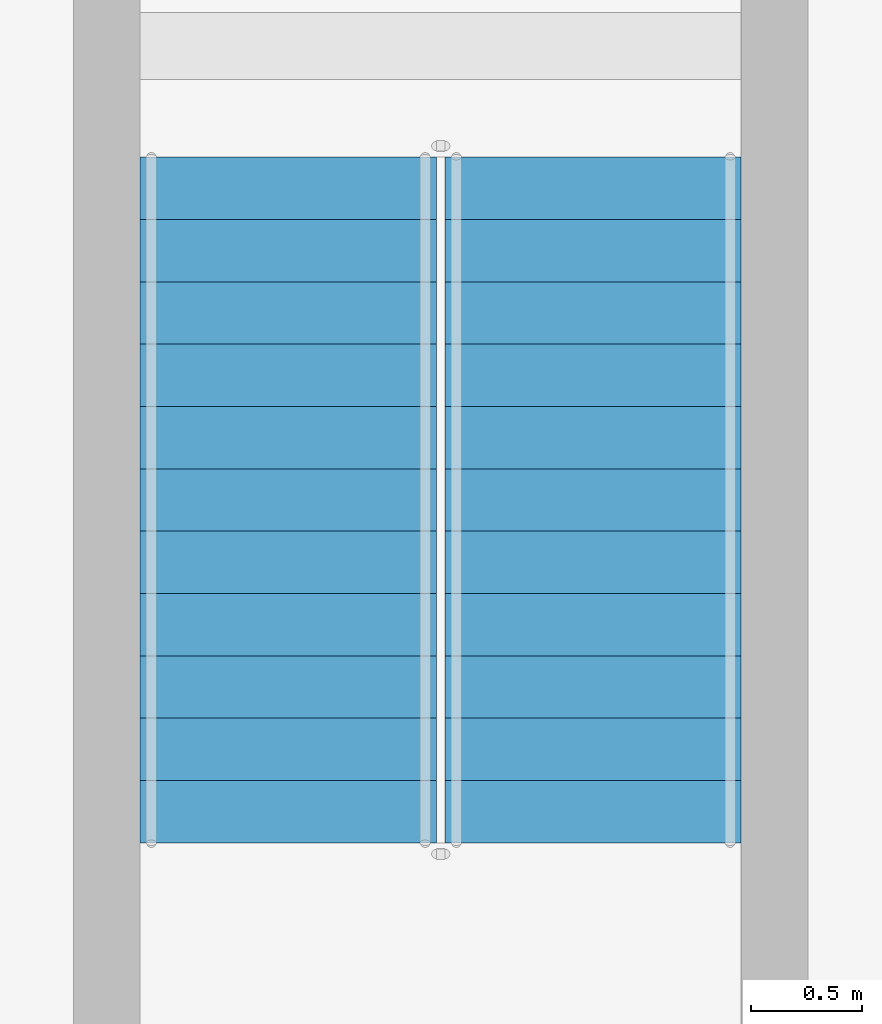
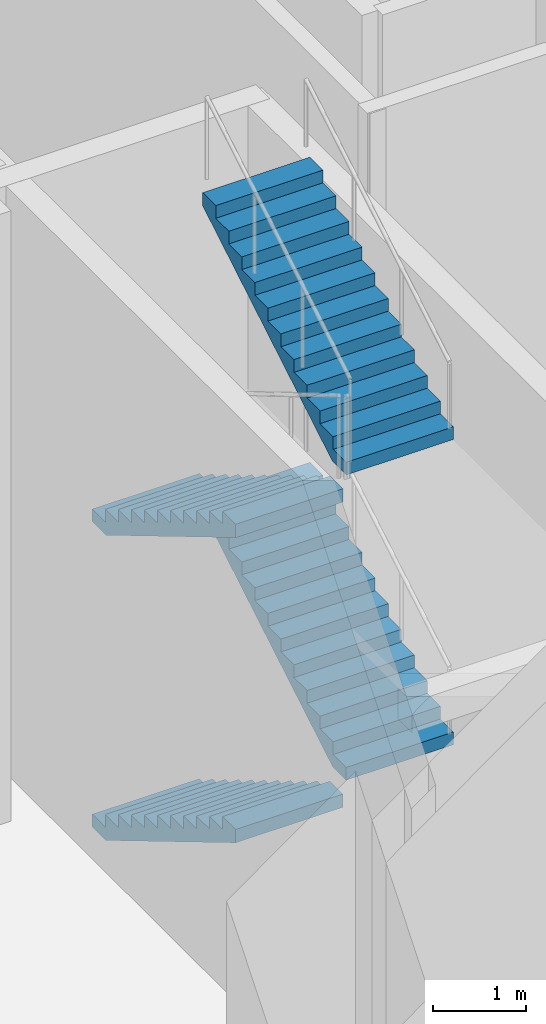
# One storey, part 40 of 54: 4 stair flights, 1 element without a shape of its own.
"""IFC4 building model written with IfcOpenShell, lengths in metres."""

import ifcopenshell
import ifcopenshell.guid

model = None  # the IFC model being written
_history = None  # IfcOwnerHistory: only IFC2X3 demands one
_inside = {}  # id of a spatial element -> (the spatial element, [elements in it])
_under = {}  # id of a project, library or spatial element -> (it, [spatial elements below it])
_declared = {}  # id of a project -> (the project, [libraries it declares])
_typed = {}  # id of a type object -> (the type object, [elements of that type])
_made_of = {}  # id of a material, layer set ... -> (it, [elements and type objects made of it])


def new_model(schema):
    """Start an empty IFC model of exactly this schema.

    Asked for "IFC4X3", IfcOpenShell would pick the latest addendum, in which some entities
    have other attributes; the version numbers below select the first issue.
    IFC2X3 requires an IfcOwnerHistory on every rooted entity: one is made here for all.
    """
    global model, _history
    if schema == "IFC4X3":
        model = ifcopenshell.file(schema_version=(4, 3, 0, 0))
    else:
        model = ifcopenshell.file(schema=schema)
    _inside.clear()
    _under.clear()
    _declared.clear()
    _typed.clear()
    _made_of.clear()
    _history = None
    if model.schema == "IFC2X3":
        org = make("IfcOrganization", Name="unknown")
        user = make(
            "IfcPersonAndOrganization",
            ThePerson=make("IfcPerson", FamilyName="unknown"),
            TheOrganization=org,
        )
        app = make(
            "IfcApplication",
            ApplicationDeveloper=org,
            Version="unknown",
            ApplicationFullName="unknown",
            ApplicationIdentifier="unknown",
        )
        _history = make(
            "IfcOwnerHistory",
            OwningUser=user,
            OwningApplication=app,
            ChangeAction="ADDED",
            CreationDate=0,
        )
    return model


def make(cls, **values):
    """One entity of the class cls with the attributes given. An attribute that is None is left unset."""
    return model.create_entity(
        cls, **{name: value for name, value in values.items() if value is not None}
    )


def rooted(cls, **values):
    """An entity with a GlobalId (a new one), such as an element, a storey or a relation."""
    return make(cls, GlobalId=ifcopenshell.guid.new(), OwnerHistory=_history, **values)


def si_unit(unit_type, name, prefix=None):
    """IfcSIUnit, for example si_unit("LENGTHUNIT", "METRE", prefix="MILLI")."""
    return make("IfcSIUnit", UnitType=unit_type, Prefix=prefix, Name=name)


def assignment(units):
    """IfcUnitAssignment: the units of a project."""
    return None if units is None else make("IfcUnitAssignment", Units=units)


def point(xyz):
    """IfcCartesianPoint."""
    return None if xyz is None else make("IfcCartesianPoint", Coordinates=xyz)


def direction(xyz):
    """IfcDirection."""
    return None if xyz is None else make("IfcDirection", DirectionRatios=xyz)


def frame(location, z_axis=None, x_axis=None):
    """IfcAxis2Placement3D, a coordinate frame: its origin and axes. An axis left out is left unset."""
    return make(
        "IfcAxis2Placement3D",
        Location=point(location),
        Axis=direction(z_axis),
        RefDirection=direction(x_axis),
    )


def origin():
    """The frame at (0, 0, 0) with its axes left unset."""
    return frame((0.0, 0.0, 0.0))


def place(relative_to, where):
    """IfcLocalPlacement: puts the frame where relative to a parent placement (None: the world)."""
    return make(
        "IfcLocalPlacement", PlacementRelTo=relative_to, RelativePlacement=where
    )


def context(
    kind, dimensions, precision=None, world=None, true_north=None, identifier=None
):
    """IfcGeometricRepresentationContext, for example the 3D "Model" context."""
    return make(
        "IfcGeometricRepresentationContext",
        ContextIdentifier=identifier,
        ContextType=kind,
        CoordinateSpaceDimension=dimensions,
        Precision=precision,
        WorldCoordinateSystem=world,
        TrueNorth=true_north,
    )


def subcontext(parent, identifier, kind, view, scale=None):
    """IfcGeometricRepresentationSubContext, for example "Body" below "Model"."""
    return make(
        "IfcGeometricRepresentationSubContext",
        ContextIdentifier=identifier,
        ContextType=kind,
        ParentContext=parent,
        TargetScale=scale,
        TargetView=view,
    )


def project(units=None, contexts=None):
    """IfcProject with its units and contexts."""
    return rooted(
        "IfcProject",
        Name="project",
        RepresentationContexts=contexts,
        UnitsInContext=assignment(units),
    )


def spatial(cls, under=None, at=None, **own):
    """A site, building, storey or space (cls), placed at a placement, below another one or the project."""
    s = rooted(cls, ObjectPlacement=at, **own)
    if under is not None:
        _under.setdefault(under.id(), (under, []))[1].append(s)
    return s


def point_list(points):
    """IfcCartesianPointList2D or 3D."""
    cls = (
        "IfcCartesianPointList2D" if len(points[0]) == 2 else "IfcCartesianPointList3D"
    )
    return make(cls, CoordList=points)


def triangles(points, corners, closed=None, point_numbers=None):
    """IfcTriangulatedFaceSet: each triangle names its three corners, points numbered from 1."""
    return make(
        "IfcTriangulatedFaceSet",
        Coordinates=point_list(points),
        Closed=closed,
        CoordIndex=corners,
        PnIndex=point_numbers,
    )


def shape(context_of_items, identifier, shape_type, items):
    """IfcShapeRepresentation: the items that make up one representation, for example the "Body"."""
    return make(
        "IfcShapeRepresentation",
        ContextOfItems=context_of_items,
        RepresentationIdentifier=identifier,
        RepresentationType=shape_type,
        Items=items,
    )


def source(mapping_origin, context_of_items, identifier, shape_type, items):
    """IfcRepresentationMap: a shape defined once, which mapped items show again and again."""
    return make(
        "IfcRepresentationMap",
        MappingOrigin=mapping_origin,
        MappedRepresentation=shape(context_of_items, identifier, shape_type, items),
    )


def transform(
    local_origin,
    x_axis=None,
    y_axis=None,
    z_axis=None,
    scale=None,
    scale2=None,
    scale3=None,
    uniform=True,
):
    """IfcCartesianTransformationOperator3D, or its non-uniform kind. x_axis, y_axis, z_axis: its Axis1, 2, 3."""
    if uniform:
        return make(
            "IfcCartesianTransformationOperator3D",
            Axis1=direction(x_axis),
            Axis2=direction(y_axis),
            LocalOrigin=point(local_origin),
            Scale=scale,
            Axis3=direction(z_axis),
        )
    return make(
        "IfcCartesianTransformationOperator3DnonUniform",
        Axis1=direction(x_axis),
        Axis2=direction(y_axis),
        LocalOrigin=point(local_origin),
        Scale=scale,
        Axis3=direction(z_axis),
        Scale2=scale2,
        Scale3=scale3,
    )


def mapped(mapping_source, mapping_target):
    """IfcMappedItem: shows the shape of a source again, moved by a transform."""
    return make(
        "IfcMappedItem", MappingSource=mapping_source, MappingTarget=mapping_target
    )


def material(Name=None, Category=None):
    """IfcMaterial."""
    return make("IfcMaterial", Name=Name, Category=Category)


def made_of(thing, what):
    """Note that an element or type object is made of a material, layer set ...; save() writes the relation."""
    if what is not None:
        _made_of.setdefault(what.id(), (what, []))[1].append(thing)
    return thing


def type_object(cls, material=None, **own):
    """A type object (cls), such as IfcWallType, which elements share."""
    return made_of(rooted(cls, **own), material)


def element(
    cls,
    number,
    at=None,
    inside=None,
    cuts=None,
    type_object=None,
    material=None,
    context=None,
    identifier="Body",
    shape_type=None,
    held_by="IfcProductDefinitionShape",
    body=None,
    shapes=None,
    **own,
):
    """One element of the class cls, such as IfcWall. Its Tag is "e" and its number.

    at: its placement. inside: the storey or other place that contains it. cuts: it is an
    opening in that element (IfcRelVoidsElement). A single representation is given by context,
    identifier, shape_type and body (its items); several are given by shapes. held_by: the class
    of the entity that holds the representations. save() writes the other relations.
    """
    e = rooted(cls, Tag="e%d" % number, ObjectPlacement=at, **own)
    if body is not None:
        shapes = [shape(context, identifier, shape_type, body)]
    if shapes is not None:
        e.Representation = make(held_by, Representations=shapes)
    if inside is not None:
        _inside.setdefault(inside.id(), (inside, []))[1].append(e)
    if cuts is not None:
        rooted(
            "IfcRelVoidsElement", RelatingBuildingElement=cuts, RelatedOpeningElement=e
        )
    if type_object is not None:
        _typed.setdefault(type_object.id(), (type_object, []))[1].append(e)
    return made_of(e, material)


def aggregate(whole, parts):
    """IfcRelAggregates: a whole, such as a stair, and the parts it consists of."""
    return rooted("IfcRelAggregates", RelatingObject=whole, RelatedObjects=parts)


def save(model, path):
    """Write the relations noted so far, then the file.

    IfcRelAggregates (storeys below a building ...), IfcRelContainedInSpatialStructure (elements
    in a storey), IfcRelDefinesByType, IfcRelAssociatesMaterial and IfcRelDeclares: one each for
    every whole, place, type object, material and project.
    """
    for whole, parts in _under.values():
        aggregate(whole, parts)
    for where, things in _inside.values():
        rooted(
            "IfcRelContainedInSpatialStructure",
            RelatedElements=things,
            RelatingStructure=where,
        )
    for kind, things in _typed.values():
        rooted("IfcRelDefinesByType", RelatedObjects=things, RelatingType=kind)
    for what, things in _made_of.values():
        rooted("IfcRelAssociatesMaterial", RelatedObjects=things, RelatingMaterial=what)
    for by, libraries in _declared.values():
        rooted("IfcRelDeclares", RelatingContext=by, RelatedDefinitions=libraries)
    model.write(path)


model = new_model("IFC4")

# Units and contexts
model_context = context("Model", 3, precision=1e-05, world=origin(), true_north=direction((0.0, 1.0)))
body_context = subcontext(model_context, "Body", "Model", "MODEL_VIEW")
ifc_project = project(units=[si_unit("LENGTHUNIT", "METRE"), si_unit("AREAUNIT", "SQUARE_METRE"), si_unit("VOLUMEUNIT", "CUBIC_METRE"), si_unit("PLANEANGLEUNIT", "RADIAN"), si_unit("MASSUNIT", "GRAM", prefix="KILO")], contexts=[model_context])

# Site, building, storey
site_placement = place(None, origin())
site = spatial("IfcSite", under=ifc_project, at=site_placement, CompositionType="ELEMENT")
building_placement = place(site_placement, origin())
building = spatial("IfcBuilding", under=site, at=building_placement, Name="Ogive Portal Towers", CompositionType="ELEMENT")
storey_placement = place(building_placement, origin())
storey = spatial("IfcBuildingStorey", under=building, at=storey_placement, Name="L00", CompositionType="ELEMENT", Elevation=0.0)

# Stair, stair flights
ifc_material = material(Name="Concrete C40/50", Category="concrete")
stair_type = type_object("IfcStairType", Name="INT-STAIR", PredefinedType="HALF_TURN_STAIR", material=ifc_material)
stair_placement = place(storey_placement, origin())
stair = element("IfcStair", 1, at=stair_placement, inside=storey, type_object=stair_type, Name="L00 Exit Stair ST-A4", PredefinedType="HALF_TURN_STAIR")
stair_flight_type = type_object("IfcStairFlightType", Name="INT-FLIGHT", PredefinedType="STRAIGHT", material=ifc_material)
shared_shape = source(origin(), body_context, "Body", "Tessellation", [
    triangles([(0.0, -0.6650390625, 0.0), (0.0, -0.384765625, 0.0), (0.0, -0.197021484375, 0.0), (0.0, -0.0830078125, 0.0), (0.0, -0.024658203125, 0.0), (0.0, -0.003173828125, 0.0), (0.0, 0.0, 0.0), (0.0, 0.003173828125, 0.0), (0.0, 0.024658203125, 0.0), (0.0, 0.0830078125, 0.0), (0.0, 0.197021484375, 0.0), (0.0, 0.384765625, 0.0), (0.0, 0.6650390625, 0.0), (0.0, -0.6650390625, 0.166748046875), (0.0, -0.384765625, 0.166748046875), (0.0, -0.197021484375, 0.166748046875), (0.0, -0.0830078125, 0.166748046875), (0.0, -0.024658203125, 0.166748046875), (0.0, -0.003173828125, 0.166748046875), (0.0, 0.0, 0.166748046875), (0.0, 0.003173828125, 0.166748046875), (0.0, 0.024658203125, 0.166748046875), (0.0, 0.0830078125, 0.166748046875), (0.0, 0.197021484375, 0.166748046875), (0.0, 0.384765625, 0.166748046875), (0.0, 0.6650390625, 0.166748046875), (0.280029296875, -0.6650390625, 0.166748046875), (0.280029296875, -0.384765625, 0.166748046875), (0.280029296875, -0.197021484375, 0.166748046875), (0.280029296875, -0.0830078125, 0.166748046875), (0.280029296875, -0.024658203125, 0.166748046875), (0.280029296875, -0.003173828125, 0.166748046875), (0.280029296875, 0.0, 0.166748046875), (0.280029296875, 0.003173828125, 0.166748046875), (0.280029296875, 0.024658203125, 0.166748046875), (0.280029296875, 0.0830078125, 0.166748046875), (0.280029296875, 0.197021484375, 0.166748046875), (0.280029296875, 0.384765625, 0.166748046875), (0.280029296875, 0.6650390625, 0.166748046875), (0.280029296875, -0.6650390625, 0.333251953125), (0.280029296875, -0.384765625, 0.333251953125), (0.280029296875, -0.197021484375, 0.333251953125), (0.280029296875, -0.0830078125, 0.333251953125), (0.280029296875, -0.024658203125, 0.333251953125), (0.280029296875, -0.003173828125, 0.333251953125), (0.280029296875, 0.0, 0.333251953125), (0.280029296875, 0.003173828125, 0.333251953125), (0.280029296875, 0.024658203125, 0.333251953125), (0.280029296875, 0.0830078125, 0.333251953125), (0.280029296875, 0.197021484375, 0.333251953125), (0.280029296875, 0.384765625, 0.333251953125), (0.280029296875, 0.6650390625, 0.333251953125), (0.56005859375, -0.6650390625, 0.333251953125), (0.56005859375, -0.384765625, 0.333251953125), (0.56005859375, -0.197021484375, 0.333251953125), (0.56005859375, -0.0830078125, 0.333251953125), (0.56005859375, -0.024658203125, 0.333251953125), (0.56005859375, -0.003173828125, 0.333251953125), (0.56005859375, 0.0, 0.333251953125), (0.56005859375, 0.003173828125, 0.333251953125), (0.56005859375, 0.024658203125, 0.333251953125), (0.56005859375, 0.0830078125, 0.333251953125), (0.56005859375, 0.197021484375, 0.333251953125), (0.56005859375, 0.384765625, 0.333251953125), (0.56005859375, 0.6650390625, 0.333251953125), (0.56005859375, -0.6650390625, 0.5), (0.56005859375, -0.384765625, 0.5), (0.56005859375, -0.197021484375, 0.5), (0.56005859375, -0.0830078125, 0.5), (0.56005859375, -0.024658203125, 0.5), (0.56005859375, -0.003173828125, 0.5), (0.56005859375, 0.0, 0.5), (0.56005859375, 0.003173828125, 0.5), (0.56005859375, 0.024658203125, 0.5), (0.56005859375, 0.0830078125, 0.5), (0.56005859375, 0.197021484375, 0.5), (0.56005859375, 0.384765625, 0.5), (0.56005859375, 0.6650390625, 0.5), (0.840087890625, -0.6650390625, 0.5), (0.840087890625, -0.384765625, 0.5), (0.840087890625, -0.197021484375, 0.5), (0.840087890625, -0.0830078125, 0.5), (0.840087890625, -0.024658203125, 0.5), (0.840087890625, -0.003173828125, 0.5), (0.840087890625, 0.0, 0.5), (0.840087890625, 0.003173828125, 0.5), (0.840087890625, 0.024658203125, 0.5), (0.840087890625, 0.0830078125, 0.5), (0.840087890625, 0.197021484375, 0.5), (0.840087890625, 0.384765625, 0.5), (0.840087890625, 0.6650390625, 0.5), (0.840087890625, -0.6650390625, 0.666748046875), (0.840087890625, -0.384765625, 0.666748046875), (0.840087890625, -0.197021484375, 0.666748046875), (0.840087890625, -0.0830078125, 0.666748046875), (0.840087890625, -0.024658203125, 0.666748046875), (0.840087890625, -0.003173828125, 0.666748046875), (0.840087890625, 0.0, 0.666748046875), (0.840087890625, 0.003173828125, 0.666748046875), (0.840087890625, 0.024658203125, 0.666748046875), (0.840087890625, 0.0830078125, 0.666748046875), (0.840087890625, 0.197021484375, 0.666748046875), (0.840087890625, 0.384765625, 0.666748046875), (0.840087890625, 0.6650390625, 0.666748046875), (1.1201171875, -0.6650390625, 0.666748046875), (1.1201171875, -0.384765625, 0.666748046875), (1.1201171875, -0.197021484375, 0.666748046875), (1.1201171875, -0.0830078125, 0.666748046875), (1.1201171875, -0.024658203125, 0.666748046875), (1.1201171875, -0.003173828125, 0.666748046875), (1.1201171875, 0.0, 0.666748046875), (1.1201171875, 0.003173828125, 0.666748046875), (1.1201171875, 0.024658203125, 0.666748046875), (1.1201171875, 0.0830078125, 0.666748046875), (1.1201171875, 0.197021484375, 0.666748046875), (1.1201171875, 0.384765625, 0.666748046875), (1.1201171875, 0.6650390625, 0.666748046875), (1.1201171875, -0.6650390625, 0.833251953125), (1.1201171875, -0.384765625, 0.833251953125), (1.1201171875, -0.197021484375, 0.833251953125), (1.1201171875, -0.0830078125, 0.833251953125), (1.1201171875, -0.024658203125, 0.833251953125), (1.1201171875, -0.003173828125, 0.833251953125), (1.1201171875, 0.0, 0.833251953125), (1.1201171875, 0.003173828125, 0.833251953125), (1.1201171875, 0.024658203125, 0.833251953125), (1.1201171875, 0.0830078125, 0.833251953125), (1.1201171875, 0.197021484375, 0.833251953125), (1.1201171875, 0.384765625, 0.833251953125), (1.1201171875, 0.6650390625, 0.833251953125), (1.39990234375, -0.6650390625, 0.833251953125), (1.39990234375, -0.384765625, 0.833251953125), (1.39990234375, -0.197021484375, 0.833251953125), (1.39990234375, -0.0830078125, 0.833251953125), (1.39990234375, -0.024658203125, 0.833251953125), (1.39990234375, -0.003173828125, 0.833251953125), (1.39990234375, 0.0, 0.833251953125), (1.39990234375, 0.003173828125, 0.833251953125), (1.39990234375, 0.024658203125, 0.833251953125), (1.39990234375, 0.0830078125, 0.833251953125), (1.39990234375, 0.197021484375, 0.833251953125), (1.39990234375, 0.384765625, 0.833251953125), (1.39990234375, 0.6650390625, 0.833251953125), (1.39990234375, -0.6650390625, 1.0), (1.39990234375, -0.384765625, 1.0), (1.39990234375, -0.197021484375, 1.0), (1.39990234375, -0.0830078125, 1.0), (1.39990234375, -0.024658203125, 1.0), (1.39990234375, -0.003173828125, 1.0), (1.39990234375, 0.0, 1.0), (1.39990234375, 0.003173828125, 1.0), (1.39990234375, 0.024658203125, 1.0), (1.39990234375, 0.0830078125, 1.0), (1.39990234375, 0.197021484375, 1.0), (1.39990234375, 0.384765625, 1.0), (1.39990234375, 0.6650390625, 1.0), (1.679931640625, -0.6650390625, 1.0), (1.679931640625, -0.384765625, 1.0), (1.679931640625, -0.197021484375, 1.0), (1.679931640625, -0.0830078125, 1.0), (1.679931640625, -0.024658203125, 1.0), (1.679931640625, -0.003173828125, 1.0), (1.679931640625, 0.0, 1.0), (1.679931640625, 0.003173828125, 1.0), (1.679931640625, 0.024658203125, 1.0), (1.679931640625, 0.0830078125, 1.0), (1.679931640625, 0.197021484375, 1.0), (1.679931640625, 0.384765625, 1.0), (1.679931640625, 0.6650390625, 1.0), (1.679931640625, -0.6650390625, 1.166748046875), (1.679931640625, -0.384765625, 1.166748046875), (1.679931640625, -0.197021484375, 1.166748046875), (1.679931640625, -0.0830078125, 1.166748046875), (1.679931640625, -0.024658203125, 1.166748046875), (1.679931640625, -0.003173828125, 1.166748046875), (1.679931640625, 0.0, 1.166748046875), (1.679931640625, 0.003173828125, 1.166748046875), (1.679931640625, 0.024658203125, 1.166748046875), (1.679931640625, 0.0830078125, 1.166748046875), (1.679931640625, 0.197021484375, 1.166748046875), (1.679931640625, 0.384765625, 1.166748046875), (1.679931640625, 0.6650390625, 1.166748046875), (1.9599609375, -0.6650390625, 1.166748046875), (1.9599609375, -0.384765625, 1.166748046875), (1.9599609375, -0.197021484375, 1.166748046875), (1.9599609375, -0.0830078125, 1.166748046875), (1.9599609375, -0.024658203125, 1.166748046875), (1.9599609375, -0.003173828125, 1.166748046875), (1.9599609375, 0.0, 1.166748046875), (1.9599609375, 0.003173828125, 1.166748046875), (1.9599609375, 0.024658203125, 1.166748046875), (1.9599609375, 0.0830078125, 1.166748046875), (1.9599609375, 0.197021484375, 1.166748046875), (1.9599609375, 0.384765625, 1.166748046875), (1.9599609375, 0.6650390625, 1.166748046875), (1.9599609375, -0.6650390625, 1.333251953125), (1.9599609375, -0.384765625, 1.333251953125), (1.9599609375, -0.197021484375, 1.333251953125), (1.9599609375, -0.0830078125, 1.333251953125), (1.9599609375, -0.024658203125, 1.333251953125), (1.9599609375, -0.003173828125, 1.333251953125), (1.9599609375, 0.0, 1.333251953125), (1.9599609375, 0.003173828125, 1.333251953125), (1.9599609375, 0.024658203125, 1.333251953125), (1.9599609375, 0.0830078125, 1.333251953125), (1.9599609375, 0.197021484375, 1.333251953125), (1.9599609375, 0.384765625, 1.333251953125), (1.9599609375, 0.6650390625, 1.333251953125), (2.239990234375, -0.6650390625, 1.333251953125), (2.239990234375, -0.384765625, 1.333251953125), (2.239990234375, -0.197021484375, 1.333251953125), (2.239990234375, -0.0830078125, 1.333251953125), (2.239990234375, -0.024658203125, 1.333251953125), (2.239990234375, -0.003173828125, 1.333251953125), (2.239990234375, 0.0, 1.333251953125), (2.239990234375, 0.003173828125, 1.333251953125), (2.239990234375, 0.024658203125, 1.333251953125), (2.239990234375, 0.0830078125, 1.333251953125), (2.239990234375, 0.197021484375, 1.333251953125), (2.239990234375, 0.384765625, 1.333251953125), (2.239990234375, 0.6650390625, 1.333251953125), (2.239990234375, -0.6650390625, 1.5), (2.239990234375, -0.384765625, 1.5), (2.239990234375, -0.197021484375, 1.5), (2.239990234375, -0.0830078125, 1.5), (2.239990234375, -0.024658203125, 1.5), (2.239990234375, -0.003173828125, 1.5), (2.239990234375, 0.0, 1.5), (2.239990234375, 0.003173828125, 1.5), (2.239990234375, 0.024658203125, 1.5), (2.239990234375, 0.0830078125, 1.5), (2.239990234375, 0.197021484375, 1.5), (2.239990234375, 0.384765625, 1.5), (2.239990234375, 0.6650390625, 1.5), (2.52001953125, -0.6650390625, 1.5), (2.52001953125, -0.384765625, 1.5), (2.52001953125, -0.197021484375, 1.5), (2.52001953125, -0.0830078125, 1.5), (2.52001953125, -0.024658203125, 1.5), (2.52001953125, -0.003173828125, 1.5), (2.52001953125, 0.0, 1.5), (2.52001953125, 0.003173828125, 1.5), (2.52001953125, 0.024658203125, 1.5), (2.52001953125, 0.0830078125, 1.5), (2.52001953125, 0.197021484375, 1.5), (2.52001953125, 0.384765625, 1.5), (2.52001953125, 0.6650390625, 1.5), (2.52001953125, -0.6650390625, 1.666748046875), (2.52001953125, -0.384765625, 1.666748046875), (2.52001953125, -0.197021484375, 1.666748046875), (2.52001953125, -0.0830078125, 1.666748046875), (2.52001953125, -0.024658203125, 1.666748046875), (2.52001953125, -0.003173828125, 1.666748046875), (2.52001953125, 0.0, 1.666748046875), (2.52001953125, 0.003173828125, 1.666748046875), (2.52001953125, 0.024658203125, 1.666748046875), (2.52001953125, 0.0830078125, 1.666748046875), (2.52001953125, 0.197021484375, 1.666748046875), (2.52001953125, 0.384765625, 1.666748046875), (2.52001953125, 0.6650390625, 1.666748046875), (2.800048828125, -0.6650390625, 1.666748046875), (2.800048828125, -0.384765625, 1.666748046875), (2.800048828125, -0.197021484375, 1.666748046875), (2.800048828125, -0.0830078125, 1.666748046875), (2.800048828125, -0.024658203125, 1.666748046875), (2.800048828125, -0.003173828125, 1.666748046875), (2.800048828125, 0.0, 1.666748046875), (2.800048828125, 0.003173828125, 1.666748046875), (2.800048828125, 0.024658203125, 1.666748046875), (2.800048828125, 0.0830078125, 1.666748046875), (2.800048828125, 0.197021484375, 1.666748046875), (2.800048828125, 0.384765625, 1.666748046875), (2.800048828125, 0.6650390625, 1.666748046875), (2.800048828125, -0.6650390625, 1.833251953125), (2.800048828125, -0.384765625, 1.833251953125), (2.800048828125, -0.197021484375, 1.833251953125), (2.800048828125, -0.0830078125, 1.833251953125), (2.800048828125, -0.024658203125, 1.833251953125), (2.800048828125, -0.003173828125, 1.833251953125), (2.800048828125, 0.0, 1.833251953125), (2.800048828125, 0.003173828125, 1.833251953125), (2.800048828125, 0.024658203125, 1.833251953125), (2.800048828125, 0.0830078125, 1.833251953125), (2.800048828125, 0.197021484375, 1.833251953125), (2.800048828125, 0.384765625, 1.833251953125), (2.800048828125, 0.6650390625, 1.833251953125), (3.080078125, -0.6650390625, 1.833251953125), (3.080078125, -0.384765625, 1.833251953125), (3.080078125, -0.197021484375, 1.833251953125), (3.080078125, -0.0830078125, 1.833251953125), (3.080078125, -0.024658203125, 1.833251953125), (3.080078125, -0.003173828125, 1.833251953125), (3.080078125, 0.0, 1.833251953125), (3.080078125, 0.003173828125, 1.833251953125), (3.080078125, 0.024658203125, 1.833251953125), (3.080078125, 0.0830078125, 1.833251953125), (3.080078125, 0.197021484375, 1.833251953125), (3.080078125, 0.384765625, 1.833251953125), (3.080078125, 0.6650390625, 1.833251953125), (3.080078125, -0.6650390625, 1.658935546875), (3.080078125, -0.384765625, 1.658935546875), (3.080078125, -0.197021484375, 1.658935546875), (3.080078125, -0.0830078125, 1.658935546875), (3.080078125, -0.024658203125, 1.658935546875), (3.080078125, -0.003173828125, 1.658935546875), (3.080078125, 0.0, 1.658935546875), (3.080078125, 0.003173828125, 1.658935546875), (3.080078125, 0.024658203125, 1.658935546875), (3.080078125, 0.0830078125, 1.658935546875), (3.080078125, 0.197021484375, 1.658935546875), (3.080078125, 0.384765625, 1.658935546875), (3.080078125, 0.6650390625, 1.658935546875), (0.29296875, -0.6650390625, 0.0), (0.29296875, -0.384765625, 0.0), (0.29296875, -0.197021484375, 0.0), (0.29296875, -0.0830078125, 0.0), (0.29296875, -0.024658203125, 0.0), (0.29296875, -0.003173828125, 0.0), (0.29296875, 0.0, 0.0), (0.29296875, 0.003173828125, 0.0), (0.29296875, 0.024658203125, 0.0), (0.29296875, 0.0830078125, 0.0), (0.29296875, 0.197021484375, 0.0), (0.29296875, 0.384765625, 0.0), (0.29296875, 0.6650390625, 0.0)], [[1, 14, 15], [1, 15, 2], [2, 15, 16], [2, 16, 3], [3, 16, 17], [3, 17, 4], [4, 17, 18], [4, 18, 5], [5, 18, 19], [5, 19, 6], [6, 19, 20], [6, 20, 7], [7, 20, 21], [7, 21, 8], [8, 21, 22], [8, 22, 9], [9, 22, 23], [9, 23, 10], [10, 23, 24], [10, 24, 11], [11, 24, 25], [11, 25, 12], [12, 25, 26], [12, 26, 13], [14, 27, 28], [14, 28, 15], [15, 28, 29], [15, 29, 16], [16, 29, 30], [16, 30, 17], [17, 30, 31], [17, 31, 18], [18, 31, 32], [18, 32, 19], [19, 32, 33], [19, 33, 20], [20, 33, 34], [20, 34, 21], [21, 34, 35], [21, 35, 22], [22, 35, 36], [22, 36, 23], [23, 36, 37], [23, 37, 24], [24, 37, 38], [24, 38, 25], [25, 38, 39], [25, 39, 26], [27, 40, 41], [27, 41, 28], [28, 41, 42], [28, 42, 29], [29, 42, 43], [29, 43, 30], [30, 43, 44], [30, 44, 31], [31, 44, 45], [31, 45, 32], [32, 45, 46], [32, 46, 33], [33, 46, 47], [33, 47, 34], [34, 47, 48], [34, 48, 35], [35, 48, 49], [35, 49, 36], [36, 49, 50], [36, 50, 37], [37, 50, 51], [37, 51, 38], [38, 51, 52], [38, 52, 39], [40, 53, 54], [40, 54, 41], [41, 54, 55], [41, 55, 42], [42, 55, 56], [42, 56, 43], [43, 56, 57], [43, 57, 44], [44, 57, 58], [44, 58, 45], [45, 58, 59], [45, 59, 46], [46, 59, 60], [46, 60, 47], [47, 60, 61], [47, 61, 48], [48, 61, 62], [48, 62, 49], [49, 62, 63], [49, 63, 50], [50, 63, 64], [50, 64, 51], [51, 64, 65], [51, 65, 52], [53, 66, 67], [53, 67, 54], [54, 67, 68], [54, 68, 55], [55, 68, 69], [55, 69, 56], [56, 69, 70], [56, 70, 57], [57, 70, 71], [57, 71, 58], [58, 71, 72], [58, 72, 59], [59, 72, 73], [59, 73, 60], [60, 73, 74], [60, 74, 61], [61, 74, 75], [61, 75, 62], [62, 75, 76], [62, 76, 63], [63, 76, 77], [63, 77, 64], [64, 77, 78], [64, 78, 65], [66, 79, 80], [66, 80, 67], [67, 80, 81], [67, 81, 68], [68, 81, 82], [68, 82, 69], [69, 82, 83], [69, 83, 70], [70, 83, 84], [70, 84, 71], [71, 84, 85], [71, 85, 72], [72, 85, 86], [72, 86, 73], [73, 86, 87], [73, 87, 74], [74, 87, 88], [74, 88, 75], [75, 88, 89], [75, 89, 76], [76, 89, 90], [76, 90, 77], [77, 90, 91], [77, 91, 78], [79, 92, 93], [79, 93, 80], [80, 93, 94], [80, 94, 81], [81, 94, 95], [81, 95, 82], [82, 95, 96], [82, 96, 83], [83, 96, 97], [83, 97, 84], [84, 97, 98], [84, 98, 85], [85, 98, 99], [85, 99, 86], [86, 99, 100], [86, 100, 87], [87, 100, 101], [87, 101, 88], [88, 101, 102], [88, 102, 89], [89, 102, 103], [89, 103, 90], [90, 103, 104], [90, 104, 91], [92, 105, 106], [92, 106, 93], [93, 106, 107], [93, 107, 94], [94, 107, 108], [94, 108, 95], [95, 108, 109], [95, 109, 96], [96, 109, 110], [96, 110, 97], [97, 110, 111], [97, 111, 98], [98, 111, 112], [98, 112, 99], [99, 112, 113], [99, 113, 100], [100, 113, 114], [100, 114, 101], [101, 114, 115], [101, 115, 102], [102, 115, 116], [102, 116, 103], [103, 116, 117], [103, 117, 104], [105, 118, 119], [105, 119, 106], [106, 119, 120], [106, 120, 107], [107, 120, 121], [107, 121, 108], [108, 121, 122], [108, 122, 109], [109, 122, 123], [109, 123, 110], [110, 123, 124], [110, 124, 111], [111, 124, 125], [111, 125, 112], [112, 125, 126], [112, 126, 113], [113, 126, 127], [113, 127, 114], [114, 127, 128], [114, 128, 115], [115, 128, 129], [115, 129, 116], [116, 129, 130], [116, 130, 117], [118, 131, 132], [118, 132, 119], [119, 132, 133], [119, 133, 120], [120, 133, 134], [120, 134, 121], [121, 134, 135], [121, 135, 122], [122, 135, 136], [122, 136, 123], [123, 136, 137], [123, 137, 124], [124, 137, 138], [124, 138, 125], [125, 138, 139], [125, 139, 126], [126, 139, 140], [126, 140, 127], [127, 140, 141], [127, 141, 128], [128, 141, 142], [128, 142, 129], [129, 142, 143], [129, 143, 130], [131, 144, 145], [131, 145, 132], [132, 145, 146], [132, 146, 133], [133, 146, 147], [133, 147, 134], [134, 147, 148], [134, 148, 135], [135, 148, 149], [135, 149, 136], [136, 149, 150], [136, 150, 137], [137, 150, 151], [137, 151, 138], [138, 151, 152], [138, 152, 139], [139, 152, 153], [139, 153, 140], [140, 153, 154], [140, 154, 141], [141, 154, 155], [141, 155, 142], [142, 155, 156], [142, 156, 143], [144, 157, 158], [144, 158, 145], [145, 158, 159], [145, 159, 146], [146, 159, 160], [146, 160, 147], [147, 160, 161], [147, 161, 148], [148, 161, 162], [148, 162, 149], [149, 162, 163], [149, 163, 150], [150, 163, 164], [150, 164, 151], [151, 164, 165], [151, 165, 152], [152, 165, 166], [152, 166, 153], [153, 166, 167], [153, 167, 154], [154, 167, 168], [154, 168, 155], [155, 168, 169], [155, 169, 156], [157, 170, 171], [157, 171, 158], [158, 171, 172], [158, 172, 159], [159, 172, 173], [159, 173, 160], [160, 173, 174], [160, 174, 161], [161, 174, 175], [161, 175, 162], [162, 175, 176], [162, 176, 163], [163, 176, 177], [163, 177, 164], [164, 177, 178], [164, 178, 165], [165, 178, 179], [165, 179, 166], [166, 179, 180], [166, 180, 167], [167, 180, 181], [167, 181, 168], [168, 181, 182], [168, 182, 169], [170, 183, 184], [170, 184, 171], [171, 184, 185], [171, 185, 172], [172, 185, 186], [172, 186, 173], [173, 186, 187], [173, 187, 174], [174, 187, 188], [174, 188, 175], [175, 188, 189], [175, 189, 176], [176, 189, 190], [176, 190, 177], [177, 190, 191], [177, 191, 178], [178, 191, 192], [178, 192, 179], [179, 192, 193], [179, 193, 180], [180, 193, 194], [180, 194, 181], [181, 194, 195], [181, 195, 182], [183, 196, 197], [183, 197, 184], [184, 197, 198], [184, 198, 185], [185, 198, 199], [185, 199, 186], [186, 199, 200], [186, 200, 187], [187, 200, 201], [187, 201, 188], [188, 201, 202], [188, 202, 189], [189, 202, 203], [189, 203, 190], [190, 203, 204], [190, 204, 191], [191, 204, 205], [191, 205, 192], [192, 205, 206], [192, 206, 193], [193, 206, 207], [193, 207, 194], [194, 207, 208], [194, 208, 195], [196, 209, 210], [196, 210, 197], [197, 210, 211], [197, 211, 198], [198, 211, 212], [198, 212, 199], [199, 212, 213], [199, 213, 200], [200, 213, 214], [200, 214, 201], [201, 214, 215], [201, 215, 202], [202, 215, 216], [202, 216, 203], [203, 216, 217], [203, 217, 204], [204, 217, 218], [204, 218, 205], [205, 218, 219], [205, 219, 206], [206, 219, 220], [206, 220, 207], [207, 220, 221], [207, 221, 208], [209, 222, 223], [209, 223, 210], [210, 223, 224], [210, 224, 211], [211, 224, 225], [211, 225, 212], [212, 225, 226], [212, 226, 213], [213, 226, 227], [213, 227, 214], [214, 227, 228], [214, 228, 215], [215, 228, 229], [215, 229, 216], [216, 229, 230], [216, 230, 217], [217, 230, 231], [217, 231, 218], [218, 231, 232], [218, 232, 219], [219, 232, 233], [219, 233, 220], [220, 233, 234], [220, 234, 221], [222, 235, 236], [222, 236, 223], [223, 236, 237], [223, 237, 224], [224, 237, 238], [224, 238, 225], [225, 238, 239], [225, 239, 226], [226, 239, 240], [226, 240, 227], [227, 240, 241], [227, 241, 228], [228, 241, 242], [228, 242, 229], [229, 242, 243], [229, 243, 230], [230, 243, 244], [230, 244, 231], [231, 244, 245], [231, 245, 232], [232, 245, 246], [232, 246, 233], [233, 246, 247], [233, 247, 234], [235, 248, 249], [235, 249, 236], [236, 249, 250], [236, 250, 237], [237, 250, 251], [237, 251, 238], [238, 251, 252], [238, 252, 239], [239, 252, 253], [239, 253, 240], [240, 253, 254], [240, 254, 241], [241, 254, 255], [241, 255, 242], [242, 255, 256], [242, 256, 243], [243, 256, 257], [243, 257, 244], [244, 257, 258], [244, 258, 245], [245, 258, 259], [245, 259, 246], [246, 259, 260], [246, 260, 247], [248, 261, 262], [248, 262, 249], [249, 262, 263], [249, 263, 250], [250, 263, 264], [250, 264, 251], [251, 264, 265], [251, 265, 252], [252, 265, 266], [252, 266, 253], [253, 266, 267], [253, 267, 254], [254, 267, 268], [254, 268, 255], [255, 268, 269], [255, 269, 256], [256, 269, 270], [256, 270, 257], [257, 270, 271], [257, 271, 258], [258, 271, 272], [258, 272, 259], [259, 272, 273], [259, 273, 260], [261, 274, 275], [261, 275, 262], [262, 275, 276], [262, 276, 263], [263, 276, 277], [263, 277, 264], [264, 277, 278], [264, 278, 265], [265, 278, 279], [265, 279, 266], [266, 279, 280], [266, 280, 267], [267, 280, 281], [267, 281, 268], [268, 281, 282], [268, 282, 269], [269, 282, 283], [269, 283, 270], [270, 283, 284], [270, 284, 271], [271, 284, 285], [271, 285, 272], [272, 285, 286], [272, 286, 273], [274, 287, 288], [274, 288, 275], [275, 288, 289], [275, 289, 276], [276, 289, 290], [276, 290, 277], [277, 290, 291], [277, 291, 278], [278, 291, 292], [278, 292, 279], [279, 292, 293], [279, 293, 280], [280, 293, 294], [280, 294, 281], [281, 294, 295], [281, 295, 282], [282, 295, 296], [282, 296, 283], [283, 296, 297], [283, 297, 284], [284, 297, 298], [284, 298, 285], [285, 298, 299], [285, 299, 286], [287, 300, 301], [287, 301, 288], [288, 301, 302], [288, 302, 289], [289, 302, 303], [289, 303, 290], [290, 303, 304], [290, 304, 291], [291, 304, 305], [291, 305, 292], [292, 305, 306], [292, 306, 293], [293, 306, 307], [293, 307, 294], [294, 307, 308], [294, 308, 295], [295, 308, 309], [295, 309, 296], [296, 309, 310], [296, 310, 297], [297, 310, 311], [297, 311, 298], [298, 311, 312], [298, 312, 299], [300, 313, 314], [300, 314, 301], [301, 314, 315], [301, 315, 302], [302, 315, 316], [302, 316, 303], [303, 316, 317], [303, 317, 304], [304, 317, 318], [304, 318, 305], [305, 318, 319], [305, 319, 306], [306, 319, 320], [306, 320, 307], [307, 320, 321], [307, 321, 308], [308, 321, 322], [308, 322, 309], [309, 322, 323], [309, 323, 310], [310, 323, 324], [310, 324, 311], [311, 324, 325], [311, 325, 312], [313, 1, 2], [313, 2, 314], [314, 2, 3], [314, 3, 315], [315, 3, 4], [315, 4, 316], [316, 4, 5], [316, 5, 317], [317, 5, 6], [317, 6, 318], [318, 6, 7], [318, 7, 319], [319, 7, 8], [319, 8, 320], [320, 8, 9], [320, 9, 321], [321, 9, 10], [321, 10, 322], [322, 10, 11], [322, 11, 323], [323, 11, 12], [323, 12, 324], [324, 12, 13], [324, 13, 325], [1, 313, 300], [13, 312, 325], [300, 287, 274], [312, 286, 299], [300, 274, 261], [312, 273, 286], [300, 261, 248], [312, 260, 273], [300, 248, 235], [312, 247, 260], [235, 222, 209], [247, 221, 234], [300, 235, 209], [312, 221, 247], [209, 196, 183], [221, 195, 208], [300, 209, 183], [312, 195, 221], [183, 170, 157], [195, 169, 182], [300, 183, 157], [312, 169, 195], [157, 144, 131], [169, 143, 156], [300, 157, 131], [312, 143, 169], [131, 118, 105], [143, 117, 130], [300, 131, 105], [312, 117, 143], [105, 92, 79], [117, 91, 104], [300, 105, 79], [312, 91, 117], [79, 66, 53], [91, 65, 78], [300, 79, 53], [312, 65, 91], [1, 300, 53], [13, 65, 312], [53, 40, 27], [65, 39, 52], [1, 53, 27], [13, 39, 65], [27, 14, 1], [39, 13, 26]], closed=True),
])
stair_flight_1_placement = place(storey_placement, frame((87.6650390625, 29.169921875, 0.0), z_axis=(0.0, 0.0, 1.0), x_axis=(0.0, -1.0, 0.0)))
stair_flight_1 = element("IfcStairFlight", 2, at=stair_flight_1_placement, type_object=stair_flight_type, Name="ST-A4 flight 1", NumberOfRisers=12, NumberOfTreads=11, PredefinedType="STRAIGHT", RiserHeight=0.166666667, TreadLength=0.28, context=body_context, shape_type="MappedRepresentation", body=[
    mapped(shared_shape, transform((0.0, 0.0, 0.0), scale=1.0)),
])
stair_flight_2_placement = place(storey_placement, frame((89.034912109375, 26.090087890625, 2.0), z_axis=(0.0, 0.0, 1.0), x_axis=(0.0, 1.0, 0.0)))
stair_flight_2 = element("IfcStairFlight", 3, at=stair_flight_2_placement, type_object=stair_flight_type, Name="ST-A4 flight 2", NumberOfRisers=12, NumberOfTreads=11, PredefinedType="STRAIGHT", RiserHeight=0.166666667, TreadLength=0.28, context=body_context, shape_type="MappedRepresentation", body=[
    mapped(shared_shape, transform((0.0, 0.0, 0.0), scale=1.0)),
])
stair_flight_3_placement = place(storey_placement, frame((87.6650390625, 29.169921875, 4.0), z_axis=(0.0, 0.0, 1.0), x_axis=(0.0, -1.0, 0.0)))
stair_flight_3 = element("IfcStairFlight", 4, at=stair_flight_3_placement, type_object=stair_flight_type, Name="ST-A4 flight 3", NumberOfRisers=12, NumberOfTreads=11, PredefinedType="STRAIGHT", RiserHeight=0.166666667, TreadLength=0.28, context=body_context, shape_type="MappedRepresentation", body=[
    mapped(shared_shape, transform((0.0, 0.0, 0.0), scale=1.0)),
])
stair_flight_4_placement = place(storey_placement, frame((89.034912109375, 26.090087890625, 6.0), z_axis=(0.0, 0.0, 1.0), x_axis=(0.0, 1.0, 0.0)))
stair_flight_4 = element("IfcStairFlight", 5, at=stair_flight_4_placement, type_object=stair_flight_type, Name="ST-A4 flight 4", NumberOfRisers=12, NumberOfTreads=11, PredefinedType="STRAIGHT", RiserHeight=0.166666667, TreadLength=0.28, context=body_context, shape_type="MappedRepresentation", body=[
    mapped(shared_shape, transform((0.0, 0.0, 0.0), scale=1.0)),
])
aggregate(stair, [stair_flight_1, stair_flight_2, stair_flight_3, stair_flight_4])

save(model, "model.ifc")
